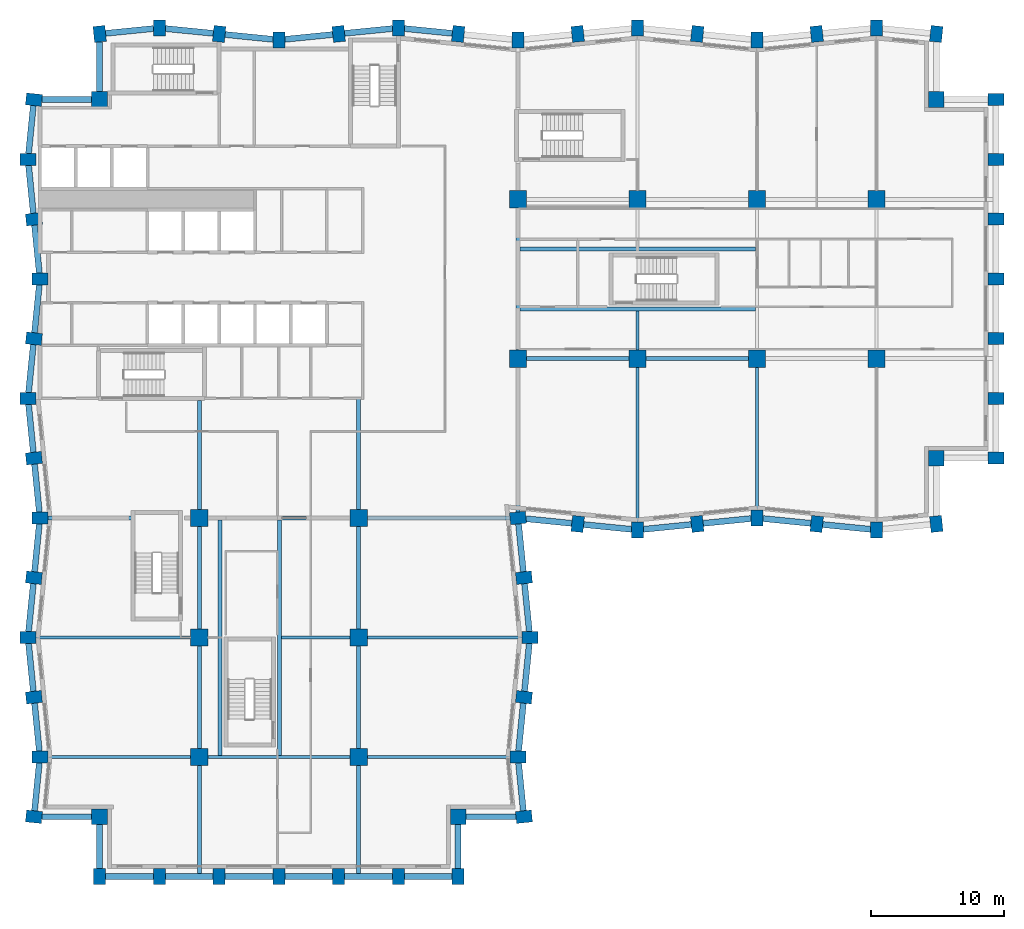
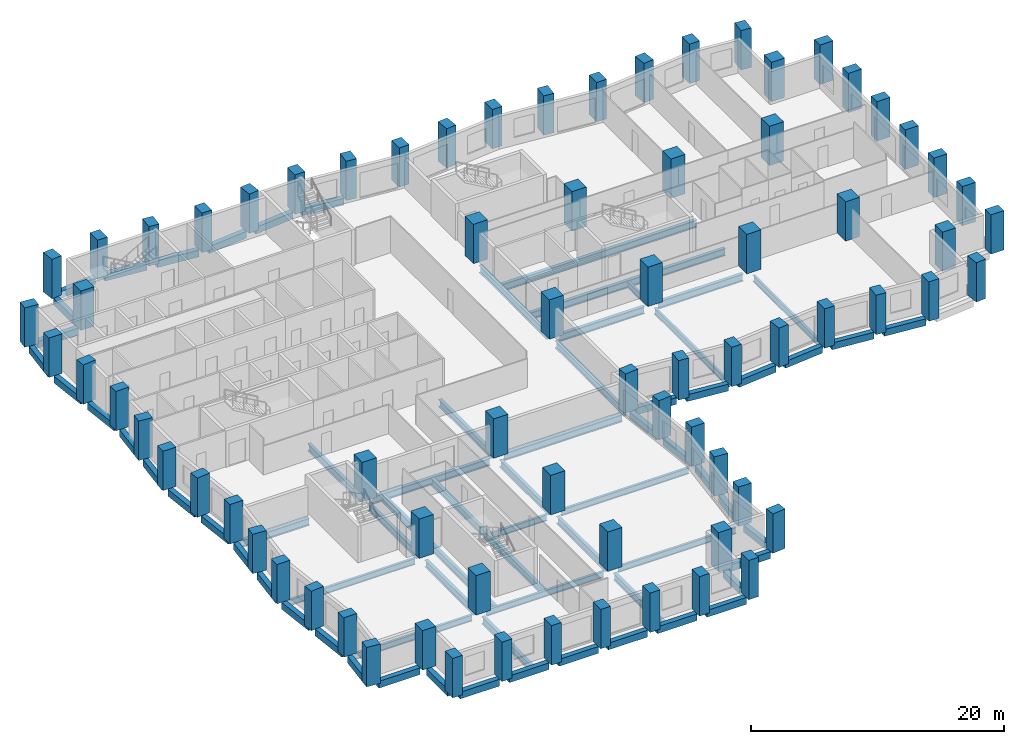
# One storey, part 1 of 11: 74 columns, 69 beams.
"""IFC4 building model written with IfcOpenShell, lengths in metres."""

from ifc_helpers import new_model, si_unit, direction, frame, origin, origin_2d, place, context, subcontext, project, spatial, rectangle, i_section, extrude, material, material_profile, profile_set, type_object, element, save


model = new_model("IFC4")

# Units and contexts
model_context = context("Model", 3, precision=1e-05, world=origin(), true_north=direction((0.0, 1.0)))
body_context = subcontext(model_context, "Body", "Model", "MODEL_VIEW")
ifc_project = project(units=[si_unit("LENGTHUNIT", "METRE"), si_unit("AREAUNIT", "SQUARE_METRE"), si_unit("VOLUMEUNIT", "CUBIC_METRE"), si_unit("PLANEANGLEUNIT", "RADIAN"), si_unit("MASSUNIT", "GRAM", prefix="KILO")], contexts=[model_context])

# Site, building, storey
site_placement = place(None, origin())
site = spatial("IfcSite", under=ifc_project, at=site_placement, CompositionType="ELEMENT")
building_placement = place(site_placement, origin())
building = spatial("IfcBuilding", under=site, at=building_placement, Name="Brondeck Convention Tower", CompositionType="ELEMENT")
storey_placement = place(building_placement, frame((0.0, 0.0, 111.300048828125)))
storey = spatial("IfcBuildingStorey", under=building, at=storey_placement, Name="L26", CompositionType="ELEMENT", Elevation=111.300048828125)

# Columns
ifc_material_1 = material(Name="Concrete C70/85", Category="concrete")
ifc_material_profile_1 = material_profile(ifc_material_1, rectangle(XDim=1.199951171875, YDim=1.199951171875, at=origin_2d()), Name="Corner column 1200x1200 Concrete C70/85")
ifc_profile_set_1 = profile_set([ifc_material_profile_1], Name="Concrete C70/85")
column_type_1 = type_object("IfcColumnType", Name="Corner column 1200x1200 Concrete C70/85", PredefinedType="COLUMN", material=ifc_profile_set_1)
for number, where, z_axis, x_axis, name in (
    (1, (4.5, 4.5, 0.0), (0.0, 0.0, 1.0), (1.0, 0.0, 0.0), "STR-COL-L26-NC-SWB0"),
    (2, (31.5, 4.5, 0.0), (0.0, 0.0, 1.0), (1.0, 0.0, 0.0), "STR-COL-L26-NC-SEB0"),
    (3, (67.5, 31.5, 0.0), (0.0, 0.0, 1.0), (1.0, 0.0, 0.0), "STR-COL-L26-NC-SEA72"),
    (4, (67.5, 58.5, 0.0), (0.0, 0.0, 1.0), (1.0, 0.0, 0.0), "STR-COL-L26-NC-NEA72"),
    (5, (4.5, 58.5, 0.0), (0.0, 0.0, 1.0), (1.0, 0.0, 0.0), "STR-COL-L26-NC-NW"),
):
    element("IfcColumn", number, at=place(storey_placement, frame(where, z_axis=z_axis, x_axis=x_axis)), inside=storey, type_object=column_type_1, Name=name, PredefinedType="COLUMN", context=body_context, shape_type="SweptSolid", body=[
        extrude(rectangle(XDim=1.199951171875, YDim=1.199951171875, at=origin_2d()), origin(), (0.0, 0.0, 1.0), 3.800048828125),
    ])
ifc_material_profile_2 = material_profile(ifc_material_1, rectangle(XDim=1.300048828125, YDim=1.300048828125, at=origin_2d()), Name="Interior column 1300x1300 Concrete C70/85")
ifc_profile_set_2 = profile_set([ifc_material_profile_2], Name="Concrete C70/85")
column_type_2 = type_object("IfcColumnType", Name="Interior column 1300x1300 Concrete C70/85", PredefinedType="COLUMN", material=ifc_profile_set_2)
for number, where, z_axis, x_axis, name in (
    (6, (12.0, 9.0, 0.0), (0.0, 0.0, 1.0), (1.0, 0.0, 0.0), "STR-COL-L26-IC-01"),
    (7, (12.0, 18.0, 0.0), (0.0, 0.0, 1.0), (1.0, 0.0, 0.0), "STR-COL-L26-IC-02"),
    (8, (12.0, 27.0, 0.0), (0.0, 0.0, 1.0), (1.0, 0.0, 0.0), "STR-COL-L26-IC-03"),
    (9, (24.0, 9.0, 0.0), (0.0, 0.0, 1.0), (1.0, 0.0, 0.0), "STR-COL-L26-IC-04"),
    (10, (24.0, 18.0, 0.0), (0.0, 0.0, 1.0), (1.0, 0.0, 0.0), "STR-COL-L26-IC-05"),
    (11, (24.0, 27.0, 0.0), (0.0, 0.0, 1.0), (1.0, 0.0, 0.0), "STR-COL-L26-IC-06"),
    (12, (36.0, 39.0, 0.0), (0.0, 0.0, 1.0), (1.0, 0.0, 0.0), "STR-COL-L26-IC-07"),
    (13, (36.0, 51.0, 0.0), (0.0, 0.0, 1.0), (1.0, 0.0, 0.0), "STR-COL-L26-IC-08"),
    (14, (45.0, 39.0, 0.0), (0.0, 0.0, 1.0), (1.0, 0.0, 0.0), "STR-COL-L26-IC-09"),
    (15, (45.0, 51.0, 0.0), (0.0, 0.0, 1.0), (1.0, 0.0, 0.0), "STR-COL-L26-IC-10"),
    (16, (54.0, 39.0, 0.0), (0.0, 0.0, 1.0), (1.0, 0.0, 0.0), "STR-COL-L26-IC-11"),
    (17, (54.0, 51.0, 0.0), (0.0, 0.0, 1.0), (1.0, 0.0, 0.0), "STR-COL-L26-IC-12"),
    (18, (63.0, 39.0, 0.0), (0.0, 0.0, 1.0), (1.0, 0.0, 0.0), "STR-COL-L26-IC-13"),
    (19, (63.0, 51.0, 0.0), (0.0, 0.0, 1.0), (1.0, 0.0, 0.0), "STR-COL-L26-IC-14"),
):
    element("IfcColumn", number, at=place(storey_placement, frame(where, z_axis=z_axis, x_axis=x_axis)), inside=storey, type_object=column_type_2, Name=name, PredefinedType="COLUMN", context=body_context, shape_type="SweptSolid", body=[
        extrude(rectangle(XDim=1.300048828125, YDim=1.300048828125, at=origin_2d()), origin(), (0.0, 0.0, 1.0), 3.800048828125),
    ])
ifc_material_profile_3 = material_profile(ifc_material_1, rectangle(XDim=0.89990234375, YDim=1.199951171875, at=origin_2d()), Name="Perimeter pier 900x1200 Concrete C70/85")
ifc_profile_set_3 = profile_set([ifc_material_profile_3], Name="Concrete C70/85")
column_type_3 = type_object("IfcColumnType", Name="Perimeter pier 900x1200 Concrete C70/85", PredefinedType="COLUMN", material=ifc_profile_set_3)
for number, where, z_axis, x_axis, name in (
    (20, (4.5, 0.0, 0.0), (0.0, 0.0, 1.0), (1.0, 0.0, 0.0), "STR-COL-L26-PC-B-S0-01"),
    (21, (9.0, 0.0, 0.0), (0.0, 0.0, 1.0), (1.0, 0.0, 0.0), "STR-COL-L26-PC-B-S0-02"),
    (22, (13.5, 0.0, 0.0), (0.0, 0.0, 1.0), (1.0, 0.0, 0.0), "STR-COL-L26-PC-B-S0-03"),
    (23, (18.0, 0.0, 0.0), (0.0, 0.0, 1.0), (1.0, 0.0, 0.0), "STR-COL-L26-PC-B-S0-04"),
    (24, (22.5, 0.0, 0.0), (0.0, 0.0, 1.0), (1.0, 0.0, 0.0), "STR-COL-L26-PC-B-S0-05"),
    (25, (27.0, 0.0, 0.0), (0.0, 0.0, 1.0), (1.0, 0.0, 0.0), "STR-COL-L26-PC-B-S0-06"),
    (26, (31.5, 0.0, 0.0), (0.0, 0.0, 1.0), (1.0, 0.0, 0.0), "STR-COL-L26-PC-B-S0-07"),
    (27, (36.449951171875, 4.5, 0.0), (0.0, 0.0, 1.0), (-0.0995038382, 0.995037178292, 0.0), "STR-COL-L26-PC-B-E-05"),
    (28, (36.0, 9.0, 0.0), (0.0, 0.0, 1.0), (0.0, 1.0, 0.0), "STR-COL-L26-PC-B-E-04"),
    (29, (36.449951171875, 13.5, 0.0), (0.0, 0.0, 1.0), (0.0995038382, 0.995037178292, 0.0), "STR-COL-L26-PC-B-E-03"),
    (30, (36.89990234375, 18.0, 0.0), (0.0, 0.0, 1.0), (0.0, 1.0, 0.0), "STR-COL-L26-PC-B-E-02"),
    (31, (36.449951171875, 22.5, 0.0), (0.0, 0.0, 1.0), (-0.0995038382, 0.995037178292, 0.0), "STR-COL-L26-PC-B-E-01"),
    (32, (36.0, 27.0, 0.0), (0.0, 0.0, 1.0), (-0.0995038382, 0.995037178292, 0.0), "STR-COL-L26-PC-B-E-00"),
    (33, (40.5, 26.550048828125, 0.0), (0.0, 0.0, 1.0), (0.995037178292, -0.0995038382, 0.0), "STR-COL-L26-PC-A-S-01"),
    (34, (45.0, 26.10009765625, 0.0), (0.0, 0.0, 1.0), (1.0, 0.0, 0.0), "STR-COL-L26-PC-A-S-02"),
    (35, (49.5, 26.550048828125, 0.0), (0.0, 0.0, 1.0), (0.995037178292, 0.0995038382, 0.0), "STR-COL-L26-PC-A-S-03"),
    (36, (54.0, 27.0, 0.0), (0.0, 0.0, 1.0), (1.0, 0.0, 0.0), "STR-COL-L26-PC-A-S-04"),
    (37, (58.5, 26.550048828125, 0.0), (0.0, 0.0, 1.0), (0.995037178292, -0.0995038382, 0.0), "STR-COL-L26-PC-A-S-05"),
    (38, (63.0, 26.10009765625, 0.0), (0.0, 0.0, 1.0), (1.0, 0.0, 0.0), "STR-COL-L26-PC-A-S-06"),
    (39, (67.5, 26.550048828125, 0.0), (0.0, 0.0, 1.0), (0.995037178292, 0.0995038382, 0.0), "STR-COL-L26-PC-A-S-07"),
    (40, (72.0, 31.5, 0.0), (0.0, 0.0, 1.0), (0.0, 1.0, 0.0), "STR-COL-L26-PC-A-E72-01"),
    (41, (72.0, 36.0, 0.0), (0.0, 0.0, 1.0), (0.0, 1.0, 0.0), "STR-COL-L26-PC-A-E72-02"),
    (42, (72.0, 40.5, 0.0), (0.0, 0.0, 1.0), (0.0, 1.0, 0.0), "STR-COL-L26-PC-A-E72-03"),
    (43, (72.0, 45.0, 0.0), (0.0, 0.0, 1.0), (0.0, 1.0, 0.0), "STR-COL-L26-PC-A-E72-04"),
    (44, (72.0, 49.5, 0.0), (0.0, 0.0, 1.0), (0.0, 1.0, 0.0), "STR-COL-L26-PC-A-E72-05"),
    (45, (72.0, 54.0, 0.0), (0.0, 0.0, 1.0), (0.0, 1.0, 0.0), "STR-COL-L26-PC-A-E72-06"),
    (46, (72.0, 58.5, 0.0), (0.0, 0.0, 1.0), (0.0, 1.0, 0.0), "STR-COL-L26-PC-A-E72-07"),
    (47, (67.5, 63.449951171875, 0.0), (0.0, 0.0, 1.0), (-0.995037178292, 0.0995038382, 0.0), "STR-COL-L26-PC-A-N-15"),
    (48, (63.0, 63.89990234375, 0.0), (0.0, 0.0, 1.0), (-1.0, 0.0, 0.0), "STR-COL-L26-PC-A-N-14"),
    (49, (58.5, 63.449951171875, 0.0), (0.0, 0.0, 1.0), (-0.995037178292, -0.0995038382, 0.0), "STR-COL-L26-PC-A-N-13"),
    (50, (54.0, 63.0, 0.0), (0.0, 0.0, 1.0), (-1.0, 0.0, 0.0), "STR-COL-L26-PC-A-N-12"),
    (51, (49.5, 63.449951171875, 0.0), (0.0, 0.0, 1.0), (-0.995037178292, 0.0995038382, 0.0), "STR-COL-L26-PC-A-N-11"),
    (52, (45.0, 63.89990234375, 0.0), (0.0, 0.0, 1.0), (-1.0, 0.0, 0.0), "STR-COL-L26-PC-A-N-10"),
    (53, (40.5, 63.449951171875, 0.0), (0.0, 0.0, 1.0), (-0.995037178292, -0.0995038382, 0.0), "STR-COL-L26-PC-A-N-09"),
    (54, (36.0, 63.0, 0.0), (0.0, 0.0, 1.0), (-1.0, 0.0, 0.0), "STR-COL-L26-PC-A-N-08"),
    (55, (31.5, 63.449951171875, 0.0), (0.0, 0.0, 1.0), (-0.995037178292, 0.0995038382, 0.0), "STR-COL-L26-PC-A-N-07"),
    (56, (27.0, 63.89990234375, 0.0), (0.0, 0.0, 1.0), (-1.0, 0.0, 0.0), "STR-COL-L26-PC-A-N-06"),
    (57, (22.5, 63.449951171875, 0.0), (0.0, 0.0, 1.0), (-0.995037178292, -0.0995038382, 0.0), "STR-COL-L26-PC-A-N-05"),
    (58, (18.0, 63.0, 0.0), (0.0, 0.0, 1.0), (-1.0, 0.0, 0.0), "STR-COL-L26-PC-A-N-04"),
    (59, (13.5, 63.449951171875, 0.0), (0.0, 0.0, 1.0), (-0.995037178292, 0.0995038382, 0.0), "STR-COL-L26-PC-A-N-03"),
    (60, (9.0, 63.89990234375, 0.0), (0.0, 0.0, 1.0), (-1.0, 0.0, 0.0), "STR-COL-L26-PC-A-N-02"),
    (61, (4.5, 63.449951171875, 0.0), (0.0, 0.0, 1.0), (-0.995037178292, -0.0995038382, 0.0), "STR-COL-L26-PC-A-N-01"),
    (62, (-0.449951171875, 58.5, 0.0), (0.0, 0.0, 1.0), (-0.0995038382, -0.995037178292, 0.0), "STR-COL-L26-PC-B-W-01"),
    (63, (-0.89990234375, 54.0, 0.0), (0.0, 0.0, 1.0), (0.0, -1.0, 0.0), "STR-COL-L26-PC-B-W-02"),
    (64, (-0.449951171875, 49.5, 0.0), (0.0, 0.0, 1.0), (0.0995038382, -0.995037178292, 0.0), "STR-COL-L26-PC-B-W-03"),
    (65, (0.0, 45.0, 0.0), (0.0, 0.0, 1.0), (0.0, -1.0, 0.0), "STR-COL-L26-PC-B-W-04"),
    (66, (-0.449951171875, 40.5, 0.0), (0.0, 0.0, 1.0), (-0.0995038382, -0.995037178292, 0.0), "STR-COL-L26-PC-B-W-05"),
    (67, (-0.89990234375, 36.0, 0.0), (0.0, 0.0, 1.0), (0.0, -1.0, 0.0), "STR-COL-L26-PC-B-W-06"),
    (68, (-0.449951171875, 31.5, 0.0), (0.0, 0.0, 1.0), (0.0995038382, -0.995037178292, 0.0), "STR-COL-L26-PC-B-W-07"),
    (69, (0.0, 27.0, 0.0), (0.0, 0.0, 1.0), (0.0, -1.0, 0.0), "STR-COL-L26-PC-B-W-08"),
    (70, (-0.449951171875, 22.5, 0.0), (0.0, 0.0, 1.0), (-0.0995038382, -0.995037178292, 0.0), "STR-COL-L26-PC-B-W-09"),
    (71, (-0.89990234375, 18.0, 0.0), (0.0, 0.0, 1.0), (0.0, -1.0, 0.0), "STR-COL-L26-PC-B-W-10"),
    (72, (-0.449951171875, 13.5, 0.0), (0.0, 0.0, 1.0), (0.0995038382, -0.995037178292, 0.0), "STR-COL-L26-PC-B-W-11"),
    (73, (0.0, 9.0, 0.0), (0.0, 0.0, 1.0), (0.0, -1.0, 0.0), "STR-COL-L26-PC-B-W-12"),
    (74, (-0.449951171875, 4.5, 0.0), (0.0, 0.0, 1.0), (-0.0995038382, -0.995037178292, 0.0), "STR-COL-L26-PC-B-W-13"),
):
    element("IfcColumn", number, at=place(storey_placement, frame(where, z_axis=z_axis, x_axis=x_axis)), inside=storey, type_object=column_type_3, Name=name, PredefinedType="COLUMN", context=body_context, shape_type="SweptSolid", body=[
        extrude(rectangle(XDim=0.89990234375, YDim=1.199951171875, at=origin_2d()), origin(), (0.0, 0.0, 1.0), 3.800048828125),
    ])

# Beams
ifc_material_2 = material(Name="Steel S355", Category="steel")
ifc_material_profile_4 = material_profile(ifc_material_2, i_section(OverallWidth=0.219970703125, OverallDepth=0.60009765625, WebThickness=0.011962890625, FlangeThickness=0.01904296875, FilletRadius=0.02392578125, at=origin_2d()), Name="IPE 600")
ifc_profile_set_4 = profile_set([ifc_material_profile_4], Name="Steel S355")
beam_type_1 = type_object("IfcBeamType", Name="Floor beam IPE 600", PredefinedType="BEAM", material=ifc_profile_set_4)
beam_1_placement = place(storey_placement, frame((45.0, 26.699951171875, -0.60009765625), z_axis=(0.0, 1.0, 0.0), x_axis=(-1.0, 0.0, 0.0)))
element("IfcBeam", 75, at=beam_1_placement, inside=storey, type_object=beam_type_1, Name="STR-FB-L26-001", PredefinedType="BEAM", context=body_context, shape_type="SweptSolid", body=[
    extrude(i_section(OverallWidth=0.219970703125, OverallDepth=0.60009765625, WebThickness=0.011962890625, FlangeThickness=0.01904296875, FilletRadius=0.02392578125, at=origin_2d()), origin(), (0.0, 0.0, 1.0), 11.650146484375),
])
for number, where, z_axis, x_axis, name in (
    (76, (54.0, 27.60009765625, -0.60009765625), (0.0, 1.0, 0.0), (-1.0, 0.0, 0.0), "STR-FB-L26-003"),
    (77, (0.60009765625, 9.0, -0.60009765625), (1.0, 0.0, 0.0), (0.0, 1.0, 0.0), "STR-FB-L26-009"),
):
    element("IfcBeam", number, at=place(storey_placement, frame(where, z_axis=z_axis, x_axis=x_axis)), inside=storey, type_object=beam_type_1, Name=name, PredefinedType="BEAM", context=body_context, shape_type="SweptSolid", body=[
        extrude(i_section(OverallWidth=0.219970703125, OverallDepth=0.60009765625, WebThickness=0.011962890625, FlangeThickness=0.01904296875, FilletRadius=0.02392578125, at=origin_2d()), origin(), (0.0, 0.0, 1.0), 10.75),
    ])
beam_2_placement = place(storey_placement, frame((12.64990234375, 9.0, -0.60009765625), z_axis=(1.0, 0.0, 0.0), x_axis=(0.0, 1.0, 0.0)))
element("IfcBeam", 78, at=beam_2_placement, inside=storey, type_object=beam_type_1, Name="STR-FB-L26-010", PredefinedType="BEAM", context=body_context, shape_type="SweptSolid", body=[
    extrude(i_section(OverallWidth=0.219970703125, OverallDepth=0.60009765625, WebThickness=0.011962890625, FlangeThickness=0.01904296875, FilletRadius=0.02392578125, at=origin_2d()), origin(), (0.0, 0.0, 1.0), 10.7001953125),
])
beam_3_placement = place(storey_placement, frame((24.64990234375, 9.0, -0.60009765625), z_axis=(1.0, 0.0, 0.0), x_axis=(0.0, 1.0, 0.0)))
element("IfcBeam", 79, at=beam_3_placement, inside=storey, type_object=beam_type_1, Name="STR-FB-L26-011", PredefinedType="BEAM", context=body_context, shape_type="SweptSolid", body=[
    extrude(i_section(OverallWidth=0.219970703125, OverallDepth=0.60009765625, WebThickness=0.011962890625, FlangeThickness=0.01904296875, FilletRadius=0.02392578125, at=origin_2d()), origin(), (0.0, 0.0, 1.0), 10.75),
])
for number, where, z_axis, x_axis, name in (
    (80, (-0.300048828125, 18.0, -0.60009765625), (1.0, 0.0, 0.0), (0.0, 1.0, 0.0), "STR-FB-L26-012"),
    (81, (24.64990234375, 18.0, -0.60009765625), (1.0, 0.0, 0.0), (0.0, 1.0, 0.0), "STR-FB-L26-013"),
):
    element("IfcBeam", number, at=place(storey_placement, frame(where, z_axis=z_axis, x_axis=x_axis)), inside=storey, type_object=beam_type_1, Name=name, PredefinedType="BEAM", context=body_context, shape_type="SweptSolid", body=[
        extrude(i_section(OverallWidth=0.219970703125, OverallDepth=0.60009765625, WebThickness=0.011962890625, FlangeThickness=0.01904296875, FilletRadius=0.02392578125, at=origin_2d()), origin(), (0.0, 0.0, 1.0), 11.650146484375),
    ])
beam_4_placement = place(storey_placement, frame((45.0, 39.64990234375, -0.60009765625), z_axis=(0.0, 1.0, 0.0), x_axis=(-1.0, 0.0, 0.0)))
element("IfcBeam", 82, at=beam_4_placement, inside=storey, type_object=beam_type_1, Name="STR-FB-L26-014", PredefinedType="BEAM", context=body_context, shape_type="SweptSolid", body=[
    extrude(i_section(OverallWidth=0.219970703125, OverallDepth=0.60009765625, WebThickness=0.011962890625, FlangeThickness=0.01904296875, FilletRadius=0.02392578125, at=origin_2d()), origin(), (0.0, 0.0, 1.0), 2.9501953125),
])
beam_5_placement = place(storey_placement, frame((18.199951171875, 18.0, -0.60009765625), z_axis=(1.0, 0.0, 0.0), x_axis=(0.0, 1.0, 0.0)))
element("IfcBeam", 83, at=beam_5_placement, inside=storey, type_object=beam_type_1, Name="STR-FB-L26-016", PredefinedType="BEAM", context=body_context, shape_type="SweptSolid", body=[
    extrude(i_section(OverallWidth=0.219970703125, OverallDepth=0.60009765625, WebThickness=0.011962890625, FlangeThickness=0.01904296875, FilletRadius=0.02392578125, at=origin_2d()), origin(), (0.0, 0.0, 1.0), 5.150146484375),
])
ifc_material_profile_5 = material_profile(ifc_material_2, i_section(OverallWidth=0.300048828125, OverallDepth=0.699951171875, WebThickness=0.01708984375, FlangeThickness=0.031982421875, FilletRadius=0.027099609375, at=origin_2d()), Name="HEB 700")
ifc_profile_set_5 = profile_set([ifc_material_profile_5], Name="Steel S355")
beam_type_2 = type_object("IfcBeamType", Name="Girder HEB 700", PredefinedType="BEAM", material=ifc_profile_set_5)
for number, where, z_axis, x_axis, name in (
    (84, (36.64990234375, 39.0, -0.650146484375), (1.0, 0.0, 0.0), (0.0, 1.0, 0.0), "STR-GR-L26-001"),
    (85, (45.64990234375, 39.0, -0.650146484375), (1.0, 0.0, 0.0), (0.0, 1.0, 0.0), "STR-GR-L26-002"),
):
    element("IfcBeam", number, at=place(storey_placement, frame(where, z_axis=z_axis, x_axis=x_axis)), inside=storey, type_object=beam_type_2, Name=name, PredefinedType="BEAM", context=body_context, shape_type="SweptSolid", body=[
        extrude(i_section(OverallWidth=0.300048828125, OverallDepth=0.699951171875, WebThickness=0.01708984375, FlangeThickness=0.031982421875, FilletRadius=0.027099609375, at=origin_2d()), origin(), (0.0, 0.0, 1.0), 7.7001953125),
    ])
beam_6_placement = place(storey_placement, frame((36.0, 27.4521484375, -0.650146484375), z_axis=(0.0, 1.0, 0.0), x_axis=(-1.0, 0.0, 0.0)))
element("IfcBeam", 86, at=beam_6_placement, inside=storey, type_object=beam_type_2, Name="STR-GR-L26-009", PredefinedType="BEAM", context=body_context, shape_type="SweptSolid", body=[
    extrude(i_section(OverallWidth=0.300048828125, OverallDepth=0.699951171875, WebThickness=0.01708984375, FlangeThickness=0.031982421875, FilletRadius=0.027099609375, at=origin_2d()), origin(), (0.0, 0.0, 1.0), 10.89794921875),
])
beam_7_placement = place(storey_placement, frame((36.0, 39.64990234375, -0.650146484375), z_axis=(0.0, 1.0, 0.0), x_axis=(-1.0, 0.0, 0.0)))
element("IfcBeam", 87, at=beam_7_placement, inside=storey, type_object=beam_type_2, Name="STR-GR-L26-010", PredefinedType="BEAM", context=body_context, shape_type="SweptSolid", body=[
    extrude(i_section(OverallWidth=0.300048828125, OverallDepth=0.699951171875, WebThickness=0.01708984375, FlangeThickness=0.031982421875, FilletRadius=0.027099609375, at=origin_2d()), origin(), (0.0, 0.0, 1.0), 10.7001953125),
])
beam_8_placement = place(storey_placement, frame((12.0, 35.85009765625, -0.650146484375), z_axis=(0.0, -1.0, 0.0), x_axis=(1.0, 0.0, 0.0)))
element("IfcBeam", 88, at=beam_8_placement, inside=storey, type_object=beam_type_2, Name="STR-GR-L26-013", PredefinedType="BEAM", context=body_context, shape_type="SweptSolid", body=[
    extrude(i_section(OverallWidth=0.300048828125, OverallDepth=0.699951171875, WebThickness=0.01708984375, FlangeThickness=0.031982421875, FilletRadius=0.027099609375, at=origin_2d()), origin(), (0.0, 0.0, 1.0), 8.2001953125),
])
for number, where, z_axis, x_axis, name in (
    (89, (12.0, 26.35009765625, -0.650146484375), (0.0, -1.0, 0.0), (1.0, 0.0, 0.0), "STR-GR-L26-014"),
    (90, (12.0, 17.35009765625, -0.650146484375), (0.0, -1.0, 0.0), (1.0, 0.0, 0.0), "STR-GR-L26-015"),
):
    element("IfcBeam", number, at=place(storey_placement, frame(where, z_axis=z_axis, x_axis=x_axis)), inside=storey, type_object=beam_type_2, Name=name, PredefinedType="BEAM", context=body_context, shape_type="SweptSolid", body=[
        extrude(i_section(OverallWidth=0.300048828125, OverallDepth=0.699951171875, WebThickness=0.01708984375, FlangeThickness=0.031982421875, FilletRadius=0.027099609375, at=origin_2d()), origin(), (0.0, 0.0, 1.0), 7.7001953125),
    ])
beam_9_placement = place(storey_placement, frame((12.0, 8.35009765625, -0.650146484375), z_axis=(0.0, -1.0, 0.0), x_axis=(1.0, 0.0, 0.0)))
element("IfcBeam", 91, at=beam_9_placement, inside=storey, type_object=beam_type_2, Name="STR-GR-L26-016", PredefinedType="BEAM", context=body_context, shape_type="SweptSolid", body=[
    extrude(i_section(OverallWidth=0.300048828125, OverallDepth=0.699951171875, WebThickness=0.01708984375, FlangeThickness=0.031982421875, FilletRadius=0.027099609375, at=origin_2d()), origin(), (0.0, 0.0, 1.0), 8.125),
])
beam_10_placement = place(storey_placement, frame((24.0, 35.955078125, -0.650146484375), z_axis=(0.0, -1.0, 0.0), x_axis=(1.0, 0.0, 0.0)))
element("IfcBeam", 92, at=beam_10_placement, inside=storey, type_object=beam_type_2, Name="STR-GR-L26-017", PredefinedType="BEAM", context=body_context, shape_type="SweptSolid", body=[
    extrude(i_section(OverallWidth=0.300048828125, OverallDepth=0.699951171875, WebThickness=0.01708984375, FlangeThickness=0.031982421875, FilletRadius=0.027099609375, at=origin_2d()), origin(), (0.0, 0.0, 1.0), 8.30517578125),
])
for number, where, z_axis, x_axis, name in (
    (93, (24.0, 26.35009765625, -0.650146484375), (0.0, -1.0, 0.0), (1.0, 0.0, 0.0), "STR-GR-L26-018"),
    (94, (24.0, 17.35009765625, -0.650146484375), (0.0, -1.0, 0.0), (1.0, 0.0, 0.0), "STR-GR-L26-019"),
):
    element("IfcBeam", number, at=place(storey_placement, frame(where, z_axis=z_axis, x_axis=x_axis)), inside=storey, type_object=beam_type_2, Name=name, PredefinedType="BEAM", context=body_context, shape_type="SweptSolid", body=[
        extrude(i_section(OverallWidth=0.300048828125, OverallDepth=0.699951171875, WebThickness=0.01708984375, FlangeThickness=0.031982421875, FilletRadius=0.027099609375, at=origin_2d()), origin(), (0.0, 0.0, 1.0), 7.7001953125),
    ])
beam_11_placement = place(storey_placement, frame((24.0, 8.35009765625, -0.650146484375), z_axis=(0.0, -1.0, 0.0), x_axis=(1.0, 0.0, 0.0)))
element("IfcBeam", 95, at=beam_11_placement, inside=storey, type_object=beam_type_2, Name="STR-GR-L26-020", PredefinedType="BEAM", context=body_context, shape_type="SweptSolid", body=[
    extrude(i_section(OverallWidth=0.300048828125, OverallDepth=0.699951171875, WebThickness=0.01708984375, FlangeThickness=0.031982421875, FilletRadius=0.027099609375, at=origin_2d()), origin(), (0.0, 0.0, 1.0), 8.125),
])
beam_12_placement = place(storey_placement, frame((0.60009765625, 27.0, -0.650146484375), z_axis=(1.0, 0.0, 0.0), x_axis=(0.0, 1.0, 0.0)))
element("IfcBeam", 96, at=beam_12_placement, inside=storey, type_object=beam_type_2, Name="STR-GR-L26-021", PredefinedType="BEAM", context=body_context, shape_type="SweptSolid", body=[
    extrude(i_section(OverallWidth=0.300048828125, OverallDepth=0.699951171875, WebThickness=0.01708984375, FlangeThickness=0.031982421875, FilletRadius=0.027099609375, at=origin_2d()), origin(), (0.0, 0.0, 1.0), 6.27978515625),
])
beam_13_placement = place(storey_placement, frame((12.64990234375, 27.0, -0.650146484375), z_axis=(1.0, 0.0, 0.0), x_axis=(0.0, 1.0, 0.0)))
element("IfcBeam", 97, at=beam_13_placement, inside=storey, type_object=beam_type_2, Name="STR-GR-L26-022", PredefinedType="BEAM", context=body_context, shape_type="SweptSolid", body=[
    extrude(i_section(OverallWidth=0.300048828125, OverallDepth=0.699951171875, WebThickness=0.01708984375, FlangeThickness=0.031982421875, FilletRadius=0.027099609375, at=origin_2d()), origin(), (0.0, 0.0, 1.0), 10.7001953125),
])
beam_14_placement = place(storey_placement, frame((24.64990234375, 27.0, -0.650146484375), z_axis=(1.0, 0.0, 0.0), x_axis=(0.0, 1.0, 0.0)))
element("IfcBeam", 98, at=beam_14_placement, inside=storey, type_object=beam_type_2, Name="STR-GR-L26-023", PredefinedType="BEAM", context=body_context, shape_type="SweptSolid", body=[
    extrude(i_section(OverallWidth=0.300048828125, OverallDepth=0.699951171875, WebThickness=0.01708984375, FlangeThickness=0.031982421875, FilletRadius=0.027099609375, at=origin_2d()), origin(), (0.0, 0.0, 1.0), 10.7470703125),
])
for number, where, z_axis, x_axis, name in (
    (99, (36.14990234375, 42.75, -0.650146484375), (1.0, 0.0, 0.0), (0.0, 1.0, 0.0), "STR-GR-L26-024"),
    (100, (36.14990234375, 47.25, -0.650146484375), (1.0, 0.0, 0.0), (0.0, 1.0, 0.0), "STR-GR-L26-025"),
    (101, (13.550048828125, 9.110107421875, -0.650146484375), (0.0, 1.0, 0.0), (-1.0, 0.0, 0.0), "STR-GR-L26-026"),
    (102, (18.050048828125, 9.110107421875, -0.650146484375), (0.0, 1.0, 0.0), (-1.0, 0.0, 0.0), "STR-GR-L26-027"),
):
    element("IfcBeam", number, at=place(storey_placement, frame(where, z_axis=z_axis, x_axis=x_axis)), inside=storey, type_object=beam_type_2, Name=name, PredefinedType="BEAM", context=body_context, shape_type="SweptSolid", body=[
        extrude(i_section(OverallWidth=0.300048828125, OverallDepth=0.699951171875, WebThickness=0.01708984375, FlangeThickness=0.031982421875, FilletRadius=0.027099609375, at=origin_2d()), origin(), (0.0, 0.0, 1.0), 17.739990234375),
    ])
ifc_material_profile_6 = material_profile(ifc_material_1, rectangle(XDim=0.449951171875, YDim=0.64990234375, at=origin_2d()), Name="Precast spandrel 450x650 Concrete C70/85")
ifc_profile_set_6 = profile_set([ifc_material_profile_6], Name="Concrete C70/85")
beam_type_3 = type_object("IfcBeamType", Name="Precast spandrel 450x650 Concrete C70/85", PredefinedType="SPANDREL", material=ifc_profile_set_6)
for number, where, z_axis, x_axis, name in (
    (103, (4.949951171875, 0.0, -0.324951171875), (1.0, 0.0, 0.0), (0.0, 1.0, 0.0), "STR-SP-L26-001"),
    (104, (9.449951171875, 0.0, -0.324951171875), (1.0, 0.0, 0.0), (0.0, 1.0, 0.0), "STR-SP-L26-002"),
    (105, (13.949951171875, 0.0, -0.324951171875), (1.0, 0.0, 0.0), (0.0, 1.0, 0.0), "STR-SP-L26-003"),
    (106, (18.449951171875, 0.0, -0.324951171875), (1.0, 0.0, 0.0), (0.0, 1.0, 0.0), "STR-SP-L26-004"),
    (107, (22.949951171875, 0.0, -0.324951171875), (1.0, 0.0, 0.0), (0.0, 1.0, 0.0), "STR-SP-L26-005"),
    (108, (27.449951171875, 0.0, -0.324951171875), (1.0, 0.0, 0.0), (0.0, 1.0, 0.0), "STR-SP-L26-006"),
):
    element("IfcBeam", number, at=place(storey_placement, frame(where, z_axis=z_axis, x_axis=x_axis)), inside=storey, type_object=beam_type_3, Name=name, PredefinedType="SPANDREL", context=body_context, shape_type="SweptSolid", body=[
        extrude(rectangle(XDim=0.449951171875, YDim=0.64990234375, at=origin_2d()), origin(), (0.0, 0.0, 1.0), 3.60009765625),
    ])
beam_15_placement = place(storey_placement, frame((31.5, 0.60009765625, -0.324951171875), z_axis=(0.0, 1.0, 0.0), x_axis=(-1.0, 0.0, 0.0)))
element("IfcBeam", 109, at=beam_15_placement, inside=storey, type_object=beam_type_3, Name="STR-SP-L26-007", PredefinedType="SPANDREL", context=body_context, shape_type="SweptSolid", body=[
    extrude(rectangle(XDim=0.449951171875, YDim=0.64990234375, at=origin_2d()), origin(), (0.0, 0.0, 1.0), 3.2998046875),
])
beam_16_placement = place(storey_placement, frame((32.10009765625, 4.5, -0.324951171875), z_axis=(1.0, 0.0, 0.0), x_axis=(0.0, 1.0, 0.0)))
element("IfcBeam", 110, at=beam_16_placement, inside=storey, type_object=beam_type_3, Name="STR-SP-L26-008", PredefinedType="SPANDREL", context=body_context, shape_type="SweptSolid", body=[
    extrude(rectangle(XDim=0.449951171875, YDim=0.64990234375, at=origin_2d()), origin(), (0.0, 0.0, 1.0), 3.746826171875),
])
for number, where, z_axis, x_axis, name in (
    (111, (36.4052734375, 4.94775390625, -0.324951171875), (-0.099537103649, 0.995033851182, 0.0), (-0.995033851182, -0.099537103649, 0.0), "STR-SP-L26-009"),
    (112, (36.044921875, 9.449951171875, -0.324951171875), (0.099537103649, 0.995033851182, 0.0), (-0.995033851182, 0.099537103649, 0.0), "STR-SP-L26-010"),
    (113, (36.494873046875, 13.94775390625, -0.324951171875), (0.099470334057, 0.995040528141, 0.0), (-0.995040528141, 0.099470334057, 0.0), "STR-SP-L26-011"),
    (114, (36.85498046875, 18.449951171875, -0.324951171875), (-0.099470334057, 0.995040528141, 0.0), (-0.995040528141, -0.099470334057, 0.0), "STR-SP-L26-012"),
):
    element("IfcBeam", number, at=place(storey_placement, frame(where, z_axis=z_axis, x_axis=x_axis)), inside=storey, type_object=beam_type_3, Name=name, PredefinedType="SPANDREL", context=body_context, shape_type="SweptSolid", body=[
        extrude(rectangle(XDim=0.449951171875, YDim=0.64990234375, at=origin_2d()), origin(), (0.0, 0.0, 1.0), 3.620361328125),
    ])
beam_17_placement = place(storey_placement, frame((36.4052734375, 22.94775390625, -0.324951171875), z_axis=(-0.099543756114, 0.995033185687, 0.0), x_axis=(-0.995033185687, -0.099543756114, 0.0)))
element("IfcBeam", 115, at=beam_17_placement, inside=storey, type_object=beam_type_3, Name="STR-SP-L26-013", PredefinedType="SPANDREL", context=body_context, shape_type="SweptSolid", body=[
    extrude(rectangle(XDim=0.449951171875, YDim=0.64990234375, at=origin_2d()), origin(), (0.0, 0.0, 1.0), 3.62255859375),
])
beam_18_placement = place(storey_placement, frame((36.609130859375, 26.939208984375, -0.324951171875), z_axis=(0.995032299082, -0.099552618167, 0.0), x_axis=(0.099552618167, 0.995032299082, 0.0)))
element("IfcBeam", 116, at=beam_18_placement, inside=storey, type_object=beam_type_3, Name="STR-SP-L26-014", PredefinedType="SPANDREL", context=body_context, shape_type="SweptSolid", body=[
    extrude(rectangle(XDim=0.449951171875, YDim=0.64990234375, at=origin_2d()), origin(), (0.0, 0.0, 1.0), 3.460205078125),
])
for number, where, z_axis, x_axis, name in (
    (117, (40.94775390625, 26.505126953125, -0.324951171875), (0.995040528141, -0.099470334057, 0.0), (0.099470334057, 0.995040528141, 0.0), "STR-SP-L26-015"),
    (118, (45.449951171875, 26.14501953125, -0.324951171875), (0.995040528141, 0.099470334057, 0.0), (-0.099470334057, 0.995040528141, 0.0), "STR-SP-L26-016"),
    (119, (49.94775390625, 26.5947265625, -0.324951171875), (0.995033851182, 0.099537103649, 0.0), (-0.099537103649, 0.995033851182, 0.0), "STR-SP-L26-017"),
    (120, (54.449951171875, 26.955078125, -0.324951171875), (0.995033851182, -0.099537103649, 0.0), (0.099537103649, 0.995033851182, 0.0), "STR-SP-L26-018"),
    (121, (58.94775390625, 26.505126953125, -0.324951171875), (0.995040528141, -0.099470334057, 0.0), (0.099470334057, 0.995040528141, 0.0), "STR-SP-L26-019"),
    (122, (31.05224609375, 63.494873046875, -0.324951171875), (-0.995040528141, 0.099470334057, 0.0), (-0.099470334057, -0.995040528141, 0.0), "STR-SP-L26-039"),
    (123, (26.550048828125, 63.85498046875, -0.324951171875), (-0.995040528141, -0.099470334057, 0.0), (0.099470334057, -0.995040528141, 0.0), "STR-SP-L26-040"),
    (124, (22.05224609375, 63.4052734375, -0.324951171875), (-0.995033851182, -0.099537103649, 0.0), (0.099537103649, -0.995033851182, 0.0), "STR-SP-L26-041"),
    (125, (17.550048828125, 63.044921875, -0.324951171875), (-0.995033851182, 0.099537103649, 0.0), (-0.099537103649, -0.995033851182, 0.0), "STR-SP-L26-042"),
    (126, (13.05224609375, 63.494873046875, -0.324951171875), (-0.995040528141, 0.099470334057, 0.0), (-0.099470334057, -0.995040528141, 0.0), "STR-SP-L26-043"),
    (127, (8.550048828125, 63.85498046875, -0.324951171875), (-0.995040528141, -0.099470334057, 0.0), (0.099470334057, -0.995040528141, 0.0), "STR-SP-L26-044"),
):
    element("IfcBeam", number, at=place(storey_placement, frame(where, z_axis=z_axis, x_axis=x_axis)), inside=storey, type_object=beam_type_3, Name=name, PredefinedType="SPANDREL", context=body_context, shape_type="SweptSolid", body=[
        extrude(rectangle(XDim=0.449951171875, YDim=0.64990234375, at=origin_2d()), origin(), (0.0, 0.0, 1.0), 3.620361328125),
    ])
for number, where, z_axis, x_axis, name in (
    (128, (4.5, 62.846923828125, -0.324951171875), (0.0, -1.0, 0.0), (1.0, 0.0, 0.0), "STR-SP-L26-045"),
    (129, (3.89990234375, 58.5, -0.324951171875), (-1.0, 0.0, 0.0), (0.0, -1.0, 0.0), "STR-SP-L26-046"),
):
    element("IfcBeam", number, at=place(storey_placement, frame(where, z_axis=z_axis, x_axis=x_axis)), inside=storey, type_object=beam_type_3, Name=name, PredefinedType="SPANDREL", context=body_context, shape_type="SweptSolid", body=[
        extrude(rectangle(XDim=0.449951171875, YDim=0.64990234375, at=origin_2d()), origin(), (0.0, 0.0, 1.0), 3.746826171875),
    ])
for number, where, z_axis, x_axis, name in (
    (130, (-0.494873046875, 58.05224609375, -0.324951171875), (-0.099470334057, -0.995040528141, 0.0), (0.995040528141, -0.099470334057, 0.0), "STR-SP-L26-047"),
    (131, (-0.85498046875, 53.550048828125, -0.324951171875), (0.099470334057, -0.995040528141, 0.0), (0.995040528141, 0.099470334057, 0.0), "STR-SP-L26-048"),
    (132, (-0.4052734375, 49.05224609375, -0.324951171875), (0.099537103649, -0.995033851182, 0.0), (0.995033851182, 0.099537103649, 0.0), "STR-SP-L26-049"),
    (133, (-0.044921875, 44.550048828125, -0.324951171875), (-0.099537103649, -0.995033851182, 0.0), (0.995033851182, -0.099537103649, 0.0), "STR-SP-L26-050"),
    (134, (-0.494873046875, 40.05224609375, -0.324951171875), (-0.099470334057, -0.995040528141, 0.0), (0.995040528141, -0.099470334057, 0.0), "STR-SP-L26-051"),
    (135, (-0.85498046875, 35.550048828125, -0.324951171875), (0.099470334057, -0.995040528141, 0.0), (0.995040528141, 0.099470334057, 0.0), "STR-SP-L26-052"),
    (136, (-0.4052734375, 31.05224609375, -0.324951171875), (0.099537103649, -0.995033851182, 0.0), (0.995033851182, 0.099537103649, 0.0), "STR-SP-L26-053"),
    (137, (-0.044921875, 26.550048828125, -0.324951171875), (-0.099537103649, -0.995033851182, 0.0), (0.995033851182, -0.099537103649, 0.0), "STR-SP-L26-054"),
    (138, (-0.494873046875, 22.05224609375, -0.324951171875), (-0.099470334057, -0.995040528141, 0.0), (0.995040528141, -0.099470334057, 0.0), "STR-SP-L26-055"),
    (139, (-0.85498046875, 17.550048828125, -0.324951171875), (0.099470334057, -0.995040528141, 0.0), (0.995040528141, 0.099470334057, 0.0), "STR-SP-L26-056"),
    (140, (-0.4052734375, 13.05224609375, -0.324951171875), (0.099537103649, -0.995033851182, 0.0), (0.995033851182, 0.099537103649, 0.0), "STR-SP-L26-057"),
    (141, (-0.044921875, 8.550048828125, -0.324951171875), (-0.099537103649, -0.995033851182, 0.0), (0.995033851182, -0.099537103649, 0.0), "STR-SP-L26-058"),
):
    element("IfcBeam", number, at=place(storey_placement, frame(where, z_axis=z_axis, x_axis=x_axis)), inside=storey, type_object=beam_type_3, Name=name, PredefinedType="SPANDREL", context=body_context, shape_type="SweptSolid", body=[
        extrude(rectangle(XDim=0.449951171875, YDim=0.64990234375, at=origin_2d()), origin(), (0.0, 0.0, 1.0), 3.620361328125),
    ])
beam_19_placement = place(storey_placement, frame((0.153076171875, 4.5, -0.324951171875), z_axis=(1.0, 0.0, 0.0), x_axis=(0.0, 1.0, 0.0)))
element("IfcBeam", 142, at=beam_19_placement, inside=storey, type_object=beam_type_3, Name="STR-SP-L26-059", PredefinedType="SPANDREL", context=body_context, shape_type="SweptSolid", body=[
    extrude(rectangle(XDim=0.449951171875, YDim=0.64990234375, at=origin_2d()), origin(), (0.0, 0.0, 1.0), 3.746826171875),
])
beam_20_placement = place(storey_placement, frame((4.5, 3.89990234375, -0.324951171875), z_axis=(0.0, -1.0, 0.0), x_axis=(1.0, 0.0, 0.0)))
element("IfcBeam", 143, at=beam_20_placement, inside=storey, type_object=beam_type_3, Name="STR-SP-L26-060", PredefinedType="SPANDREL", context=body_context, shape_type="SweptSolid", body=[
    extrude(rectangle(XDim=0.449951171875, YDim=0.64990234375, at=origin_2d()), origin(), (0.0, 0.0, 1.0), 3.2998046875),
])

save(model, "model.ifc")
